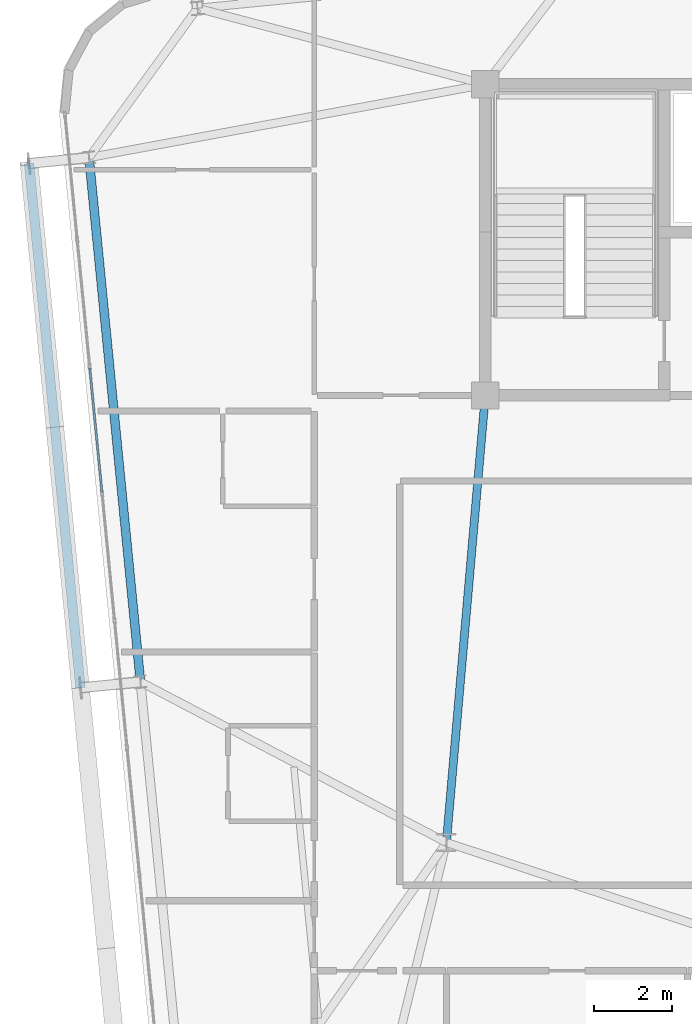
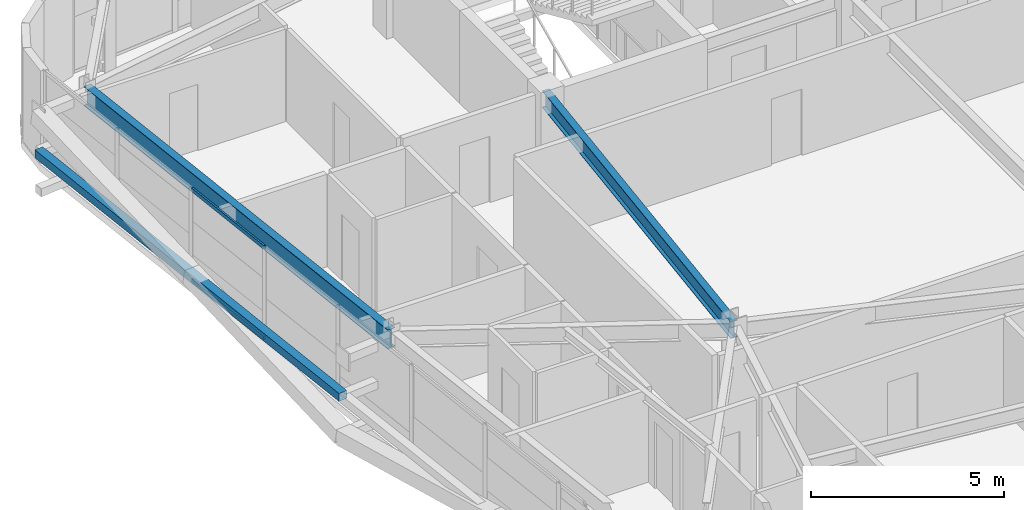
# One storey, part 14 of 53: 3 members, 2 beams, 1 element without a shape of its own.
"""IFC4 building model written with IfcOpenShell, lengths in metres."""

from ifc_helpers import new_model, si_unit, direction, frame, origin, origin_2d, place, context, subcontext, project, spatial, hollow_rectangle, i_section, extrude, source, transform, mapped, material, layer, layer_set, material_profile, profile_set, type_object, element, aggregate, save


model = new_model("IFC4")

# Units and contexts
model_context = context("Model", 3, precision=1e-05, world=origin(), true_north=direction((0.0, 1.0)))
body_context = subcontext(model_context, "Body", "Model", "MODEL_VIEW")
ifc_project = project(units=[si_unit("LENGTHUNIT", "METRE"), si_unit("AREAUNIT", "SQUARE_METRE"), si_unit("VOLUMEUNIT", "CUBIC_METRE"), si_unit("PLANEANGLEUNIT", "RADIAN"), si_unit("MASSUNIT", "GRAM", prefix="KILO")], contexts=[model_context])

# Site, building, storey
site_placement = place(None, origin())
site = spatial("IfcSite", under=ifc_project, at=site_placement, CompositionType="ELEMENT")
building_placement = place(site_placement, origin())
building = spatial("IfcBuilding", under=site, at=building_placement, Name="Taldren Reach Tower", CompositionType="ELEMENT")
storey_placement = place(building_placement, frame((0.0, 0.0, 84.0)))
storey = spatial("IfcBuildingStorey", under=building, at=storey_placement, Name="L25", CompositionType="ELEMENT", Elevation=84.0)

# Beams
ifc_material_1 = material(Name="Steel Gr 350 (350PLUS)", Category="steel")
ifc_material_profile_1 = material_profile(ifc_material_1, i_section(OverallWidth=0.208984375, OverallDepth=0.532958984375, WebThickness=0.01025390625, FlangeThickness=0.015625, at=origin_2d()), Name="530UB92.4")
ifc_profile_set_1 = profile_set([ifc_material_profile_1], Name="Steel Gr 350 (350PLUS)")
beam_type_1 = type_object("IfcBeamType", Name="BM-UB530A", PredefinedType="BEAM", material=ifc_profile_set_1)
shared_shape_1 = source(origin(), body_context, "Body", "SweptSolid", [
    extrude(i_section(OverallWidth=0.208984375, OverallDepth=0.532958984375, WebThickness=0.01025390625, FlangeThickness=0.015625, at=origin_2d()), origin(), (0.0, 0.0, 1.0), 11.54345703125),
])
beam_1_placement = place(storey_placement, frame((19.0, 24.0, 2.66357421875), z_axis=(-0.086629616365, -0.996240588196, 0.0), x_axis=(0.996240588196, -0.086629616365, 0.0)))
element("IfcBeam", 1, at=beam_1_placement, inside=storey, type_object=beam_type_1, Name="Core-spine girder L25-SP09", PredefinedType="BEAM", context=body_context, shape_type="MappedRepresentation", body=[
    mapped(shared_shape_1, transform((0.0, 0.0, 0.0), scale=1.0)),
])
ifc_material_profile_2 = material_profile(ifc_material_1, i_section(OverallWidth=0.22802734375, OverallDepth=0.60205078125, WebThickness=0.010498046875, FlangeThickness=0.014892578125, at=origin_2d()), Name="610UB101")
ifc_profile_set_2 = profile_set([ifc_material_profile_2], Name="Steel Gr 350 (350PLUS)")
beam_type_2 = type_object("IfcBeamType", Name="BM-UB610B", PredefinedType="BEAM", material=ifc_profile_set_2)
shared_shape_2 = source(origin(), body_context, "Body", "SweptSolid", [
    extrude(i_section(OverallWidth=0.22802734375, OverallDepth=0.60205078125, WebThickness=0.010498046875, FlangeThickness=0.014892578125, at=origin_2d()), origin(), (0.0, 0.0, 1.0), 13.550048828125),
])
beam_2_placement = place(storey_placement, frame((8.808349609375, 30.116455078125, 2.62890625), z_axis=(0.097584021339, -0.995227290009, 0.0), x_axis=(0.995227290009, 0.097584021339, 0.0)))
element("IfcBeam", 2, at=beam_2_placement, inside=storey, type_object=beam_type_2, Name="Perimeter gable girder B2 W3-W2 L25", PredefinedType="BEAM", context=body_context, shape_type="MappedRepresentation", body=[
    mapped(shared_shape_2, transform((0.0, 0.0, 0.0), scale=1.0)),
])

# Member
ifc_material_2 = material(Name="Steel Gr 350 (C350L0)", Category="steel")
ifc_material_profile_3 = material_profile(ifc_material_2, hollow_rectangle(XDim=0.25, YDim=0.25, WallThickness=0.010009765625, at=origin_2d()), Name="250x250x10.0SHS")
ifc_profile_set_3 = profile_set([ifc_material_profile_3], Name="Steel Gr 350 (C350L0)")
member_type_1 = type_object("IfcMemberType", Name="MB-POST250", PredefinedType="POST", material=ifc_profile_set_3)
shared_shape_3 = source(origin(), body_context, "Body", "SweptSolid", [
    extrude(hollow_rectangle(XDim=0.25, YDim=0.25, WallThickness=0.010009765625, at=origin_2d()), origin(), (0.0, 0.0, 1.0), 13.550048828125),
])
member_1_placement = place(storey_placement, frame((8.587890625, 16.479736328125, 1.43505859375), z_axis=(-0.097584021339, 0.995227290009, 0.0), x_axis=(-0.995227290009, -0.097584021339, 0.0)))
element("IfcMember", 3, at=member_1_placement, inside=storey, type_object=member_type_1, Name="Exoskeleton mid-height ring chord B2-W2 L25", PredefinedType="POST", context=body_context, shape_type="MappedRepresentation", body=[
    mapped(shared_shape_3, transform((0.0, 0.0, 0.0), scale=1.0)),
])

# Curtain wall, members
ifc_material_3 = material(Name="Aluminium and Low-E Glass Unitised System", Category="aluminium")
ifc_layer = layer(ifc_material_3, 0.159912109375)
ifc_layer_set = layer_set([ifc_layer], Name="Aluminium and Low-E Glass Unitised System")
curtain_wall_type = type_object("IfcCurtainWallType", Name="CW-SYS-3", PredefinedType="NOTDEFINED", material=ifc_layer_set)
curtain_wall_placement = place(storey_placement, origin())
curtain_wall = element("IfcCurtainWall", 4, at=curtain_wall_placement, inside=storey, type_object=curtain_wall_type, Name="Unitised curtain wall CW-L25-W", PredefinedType="NOTDEFINED")
ifc_material_4 = material(Name="Anodised Aluminium 6063-T6", Category="aluminium")
ifc_material_profile_4 = material_profile(ifc_material_4, hollow_rectangle(XDim=0.054931640625, YDim=0.1201171875, WallThickness=0.0029296875, at=origin_2d()), Name="ALU-120x55x3RHS")
ifc_profile_set_4 = profile_set([ifc_material_profile_4], Name="Anodised Aluminium 6063-T6")
member_type_2 = type_object("IfcMemberType", Name="CW-TRN-135", PredefinedType="USERDEFINED", material=ifc_profile_set_4)
shared_shape_4 = source(origin(), body_context, "Body", "SweptSolid", [
    extrude(hollow_rectangle(XDim=0.054931640625, YDim=0.1201171875, WallThickness=0.0029296875, at=origin_2d()), origin(), (0.0, 0.0, 1.0), 3.212890625),
])
member_2_placement = place(storey_placement, frame((8.826416015625, 24.704345703125, 0.027587890625), z_axis=(0.097569948235, -0.995228669805, 0.0), x_axis=(0.995228669805, 0.097569948235, 0.0)))
member_2 = element("IfcMember", 5, at=member_2_placement, type_object=member_type_2, Name="CW-3 transom 3.1", ObjectType="TRANSOM", PredefinedType="USERDEFINED", context=body_context, shape_type="MappedRepresentation", body=[
    mapped(shared_shape_4, transform((0.0, 0.0, 0.0), scale=1.0)),
])
member_3_placement = place(storey_placement, frame((8.826416015625, 24.704345703125, 2.902587890625), z_axis=(0.097569948235, -0.995228669805, 0.0), x_axis=(0.995228669805, 0.097569948235, 0.0)))
member_3 = element("IfcMember", 6, at=member_3_placement, type_object=member_type_2, Name="CW-3 transom 3.2", ObjectType="TRANSOM", PredefinedType="USERDEFINED", context=body_context, shape_type="MappedRepresentation", body=[
    mapped(shared_shape_4, transform((0.0, 0.0, 0.0), scale=1.0)),
])
aggregate(curtain_wall, [member_2, member_3])

save(model, "model.ifc")
